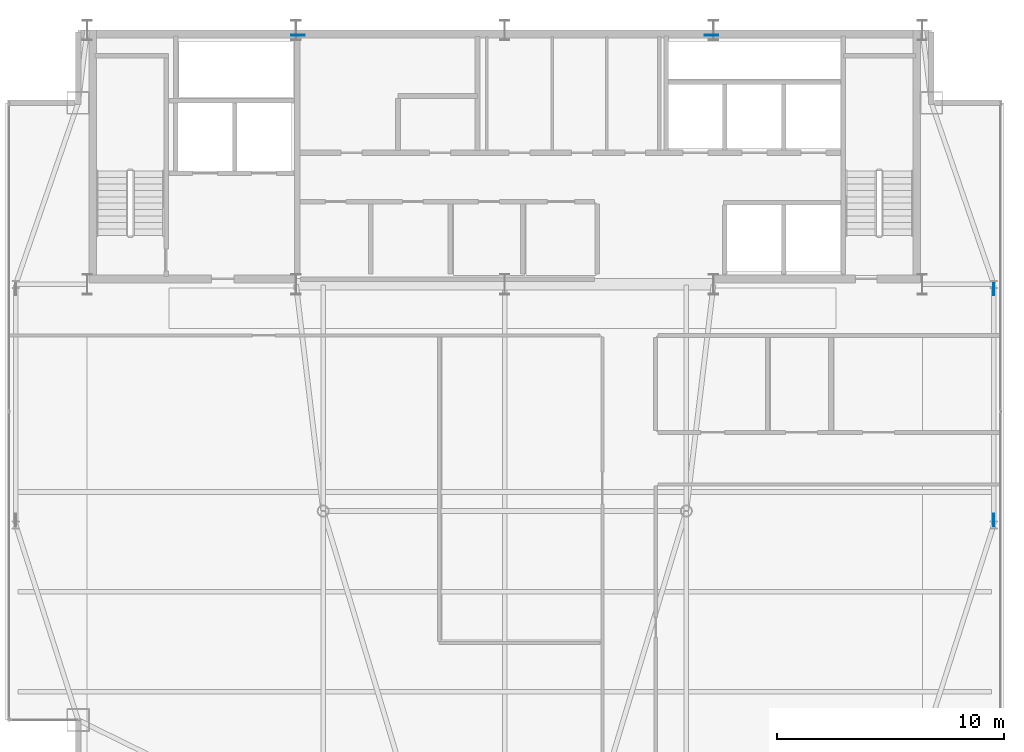
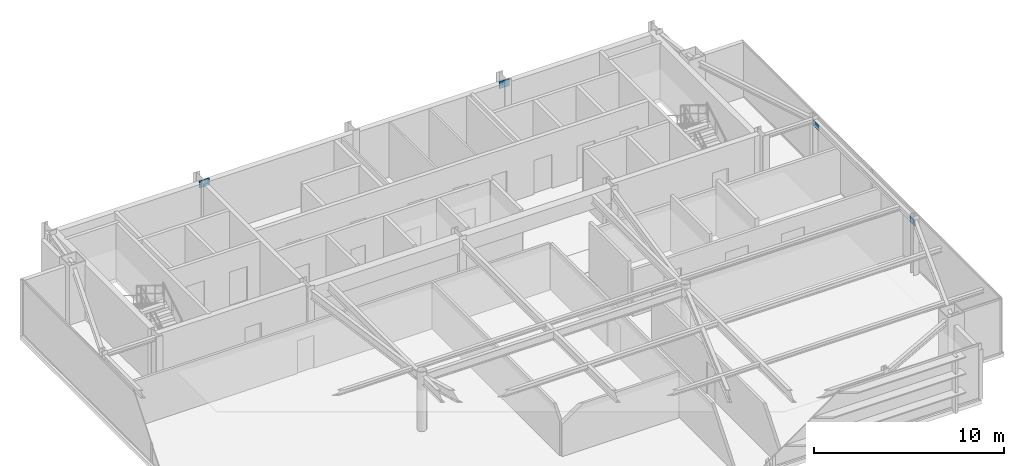
# One storey, part 20 of 24: 4 plates.
"""IFC4 building model written with IfcOpenShell, lengths in metres."""

from ifc_helpers import new_model, si_unit, direction, frame, origin, origin_2d, place, context, subcontext, project, spatial, rectangle, extrude, source, transform, mapped, material, layer, layer_set, type_object, type_shapes, element, save


model = new_model("IFC4")

# Units and contexts
model_context = context("Model", 3, precision=1e-05, world=origin(), true_north=direction((0.0, 1.0)))
body_context = subcontext(model_context, "Body", "Model", "MODEL_VIEW")
ifc_project = project(units=[si_unit("LENGTHUNIT", "METRE"), si_unit("AREAUNIT", "SQUARE_METRE"), si_unit("VOLUMEUNIT", "CUBIC_METRE"), si_unit("PLANEANGLEUNIT", "RADIAN"), si_unit("MASSUNIT", "GRAM", prefix="KILO")], contexts=[model_context])

# Site, building, storey
site_placement = place(None, origin())
site = spatial("IfcSite", under=ifc_project, at=site_placement, CompositionType="ELEMENT")
building_placement = place(site_placement, origin())
building = spatial("IfcBuilding", under=site, at=building_placement, Name="Varnel Quay Broadcast Tower", CompositionType="ELEMENT")
storey_placement = place(building_placement, frame((0.0, 0.0, 269.800048828125)))
storey = spatial("IfcBuildingStorey", under=building, at=storey_placement, Name="L67", CompositionType="ELEMENT", Elevation=269.800048828125)

# Plates
ifc_material = material(Name="Structural Steel CSA G40.21 350WT", Category="steel")
ifc_layer_1 = layer(ifc_material, 0.031982421875, Name="Structural Steel CSA G40.21 350WT")
ifc_layer_set_1 = layer_set([ifc_layer_1], Name="Structural Steel CSA G40.21 350WT")
plate_type_1 = type_object("IfcPlateType", Name="Plate_EndCap", PredefinedType="USERDEFINED", material=ifc_layer_set_1)
shared_shape_1 = source(origin(), body_context, "Body", "SweptSolid", [
    extrude(rectangle(XDim=0.5400390625, YDim=0.031982421875, at=origin_2d()), origin(), (0.0, 0.0, 1.0), 0.3798828125),
])
type_shapes(plate_type_1, [shared_shape_1])
for number, where, z_axis, x_axis, name in (
    (1, (55.550048828125, 35.3798828125, 3.0302734375), (0.0, 0.0, 1.0), (0.0, 1.0, 0.0), "Zone 5 Mega-Brace E-FT1 Diag A End Connection Plate P1"),
    (2, (55.550048828125, 25.22021484375, 3.0302734375), (0.0, 0.0, 1.0), (0.0, 1.0, 0.0), "Zone 5 Mega-Brace E-FT1 Diag B2 End Connection Plate P1"),
):
    element("IfcPlate", number, at=place(storey_placement, frame(where, z_axis=z_axis, x_axis=x_axis)), inside=storey, type_object=plate_type_1, Name=name, ObjectType="CAP_PLATE", PredefinedType="USERDEFINED", context=body_context, shape_type="MappedRepresentation", body=[
        mapped(shared_shape_1, transform((0.0, 0.0, 0.0), x_axis=(1.0, 0.0, 0.0), y_axis=(0.0, 1.0, 0.0), z_axis=(0.0, 0.0, 1.0), scale=1.0)),
    ])
ifc_layer_2 = layer(ifc_material, 0.0400390625, Name="Structural Steel CSA G40.21 350WT")
ifc_layer_set_2 = layer_set([ifc_layer_2], Name="Structural Steel CSA G40.21 350WT")
plate_type_2 = type_object("IfcPlateType", Name="Plate_EmbedPlate", PredefinedType="USERDEFINED", material=ifc_layer_set_2)
shared_shape_2 = source(origin(), body_context, "Body", "SweptSolid", [
    extrude(rectangle(XDim=0.60009765625, YDim=0.0400390625, at=origin_2d()), origin(), (0.0, 0.0, 1.0), 0.449951171875),
])
type_shapes(plate_type_2, [shared_shape_2])
for number, where, z_axis, x_axis, name in (
    (3, (43.106689453125, 46.580078125, 3.2294921875), (0.0, 0.0, 1.0), (1.0, 0.0, 0.0), "Zone 5 Mega-Brace N-CT1 Diag A Wall Cast-In Embed Plate P1"),
    (4, (24.893310546875, 46.580078125, 3.2294921875), (0.0, 0.0, 1.0), (1.0, 0.0, 0.0), "Zone 5 Mega-Brace N-CT1 Diag B2 Wall Cast-In Embed Plate P1"),
):
    element("IfcPlate", number, at=place(storey_placement, frame(where, z_axis=z_axis, x_axis=x_axis)), inside=storey, type_object=plate_type_2, Name=name, ObjectType="EMBED_PLATE", PredefinedType="USERDEFINED", context=body_context, shape_type="MappedRepresentation", body=[
        mapped(shared_shape_2, transform((0.0, 0.0, 0.0), x_axis=(1.0, 0.0, 0.0), y_axis=(0.0, 1.0, 0.0), z_axis=(0.0, 0.0, 1.0), scale=1.0)),
    ])

save(model, "model.ifc")
